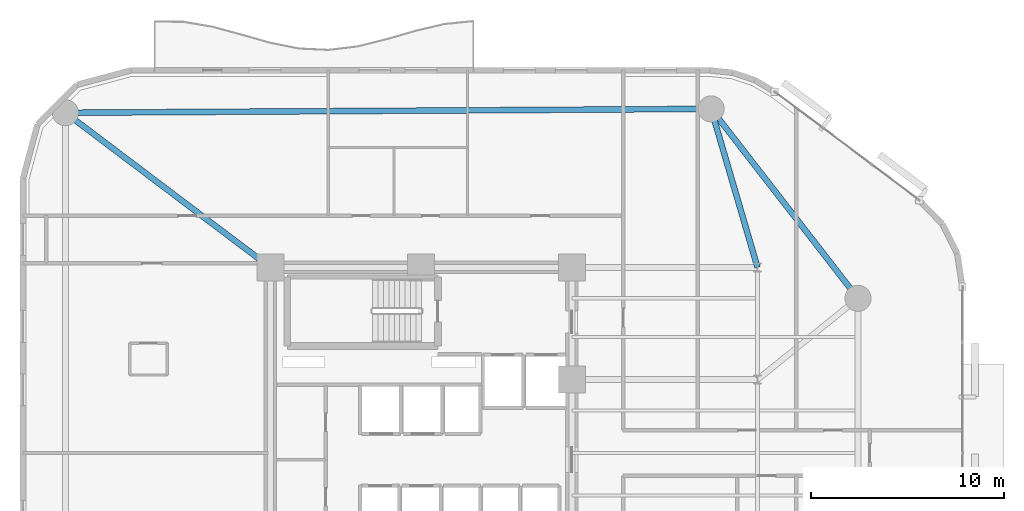
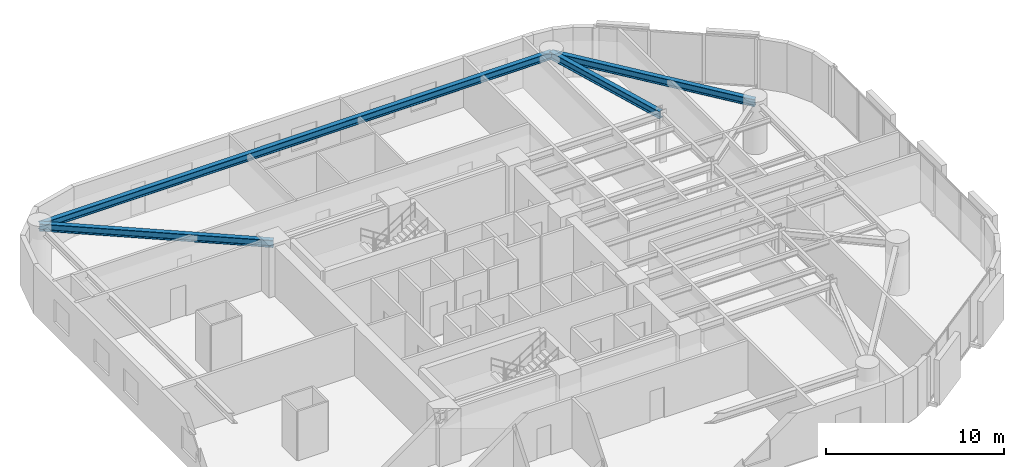
# One storey, part 7 of 16: 4 beams.
"""IFC4 building model written with IfcOpenShell, lengths in metres."""

from ifc_helpers import new_model, si_unit, direction, frame, origin, origin_2d, place, context, subcontext, project, spatial, i_section, extrude, material, material_profile, profile_set, type_object, element, save


model = new_model("IFC4")

# Units and contexts
model_context = context("Model", 3, precision=1e-05, world=origin(), true_north=direction((0.0, 1.0)))
body_context = subcontext(model_context, "Body", "Model", "MODEL_VIEW")
ifc_project = project(units=[si_unit("LENGTHUNIT", "METRE"), si_unit("AREAUNIT", "SQUARE_METRE"), si_unit("VOLUMEUNIT", "CUBIC_METRE"), si_unit("PLANEANGLEUNIT", "RADIAN"), si_unit("MASSUNIT", "GRAM", prefix="KILO")], contexts=[model_context])

# Site, building, storey
site_placement = place(None, origin())
site = spatial("IfcSite", under=ifc_project, at=site_placement, CompositionType="ELEMENT")
building_placement = place(site_placement, origin())
building = spatial("IfcBuilding", under=site, at=building_placement, Name="An Khanh Terracotta Commons", CompositionType="ELEMENT")
storey_placement = place(building_placement, frame((0.0, 0.0, 118.699951171875)))
storey = spatial("IfcBuildingStorey", under=building, at=storey_placement, Name="L31", CompositionType="ELEMENT", Elevation=118.699951171875)

# Beams
ifc_material = material(Name="Steel S355J2", Category="steel")
ifc_material_profile = material_profile(ifc_material, i_section(OverallWidth=0.300048828125, OverallDepth=0.5, WebThickness=0.014404296875, FlangeThickness=0.028076171875, FilletRadius=0.027099609375, at=origin_2d()), Name="HEB500")
ifc_profile_set = profile_set([ifc_material_profile], Name="Steel S355J2")
beam_type = type_object("IfcBeamType", Name="BM-HEB500", PredefinedType="BEAM", material=ifc_profile_set)
beam_1_placement = place(storey_placement, frame((52.0, 32.0, 3.150146484375), z_axis=(-0.612826529795, 0.790217466511, 0.0), x_axis=(-0.790217466511, -0.612826529795, 0.0)))
element("IfcBeam", 1, at=beam_1_placement, inside=storey, type_object=beam_type, Name="L31 Perimeter Ring Spandrel 4", PredefinedType="BEAM", context=body_context, shape_type="SweptSolid", body=[
    extrude(i_section(OverallWidth=0.300048828125, OverallDepth=0.5, WebThickness=0.014404296875, FlangeThickness=0.028076171875, FilletRadius=0.027099609375, at=origin_2d()), origin(), (0.0, 0.0, 1.0), 12.401611328125),
])
beam_2_placement = place(storey_placement, frame((44.39990234375, 41.800048828125, 3.150146484375), z_axis=(-0.999982080914, -0.005986472262, 0.0), x_axis=(0.005986472262, -0.999982080914, 0.0)))
element("IfcBeam", 2, at=beam_2_placement, inside=storey, type_object=beam_type, Name="L31 Perimeter Ring Spandrel 5", PredefinedType="BEAM", context=body_context, shape_type="SweptSolid", body=[
    extrude(i_section(OverallWidth=0.300048828125, OverallDepth=0.5, WebThickness=0.014404296875, FlangeThickness=0.028076171875, FilletRadius=0.027099609375, at=origin_2d()), origin(), (0.0, 0.0, 1.0), 33.400390625),
])
beam_3_placement = place(storey_placement, frame((44.39990234375, 41.800048828125, 3.150146484375), z_axis=(0.280916085823, -0.959732333896, 0.0), x_axis=(0.959732333896, 0.280916085823, 0.0)))
element("IfcBeam", 3, at=beam_3_placement, inside=storey, type_object=beam_type, Name="L31 Mega-Column Tie Girder 5", PredefinedType="BEAM", context=body_context, shape_type="SweptSolid", body=[
    extrude(i_section(OverallWidth=0.300048828125, OverallDepth=0.5, WebThickness=0.014404296875, FlangeThickness=0.028076171875, FilletRadius=0.027099609375, at=origin_2d()), origin(), (0.0, 0.0, 1.0), 8.5439453125),
])
beam_4_placement = place(storey_placement, frame((11.0, 41.60009765625, 3.150146484375), z_axis=(0.798191818888, -0.602403370061, 0.0), x_axis=(0.602403370061, 0.798191818888, 0.0)))
element("IfcBeam", 4, at=beam_4_placement, inside=storey, type_object=beam_type, Name="L31 Mega-Column Tie Girder 6", PredefinedType="BEAM", context=body_context, shape_type="SweptSolid", body=[
    extrude(i_section(OverallWidth=0.300048828125, OverallDepth=0.5, WebThickness=0.014404296875, FlangeThickness=0.028076171875, FilletRadius=0.027099609375, at=origin_2d()), origin(), (0.0, 0.0, 1.0), 13.280029296875),
])

save(model, "model.ifc")
